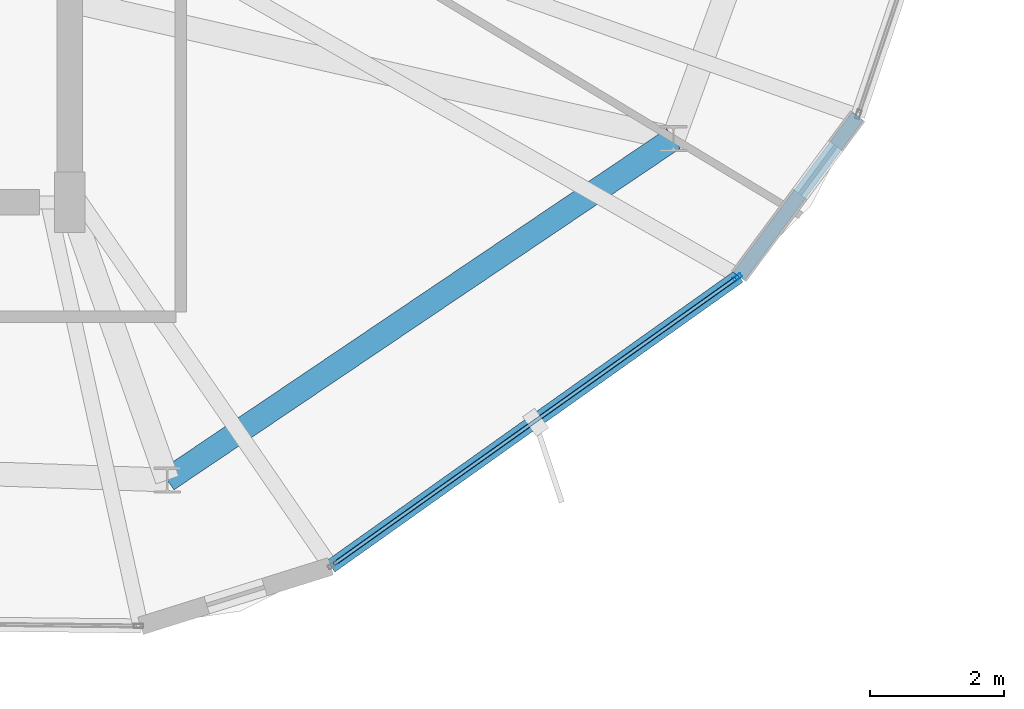
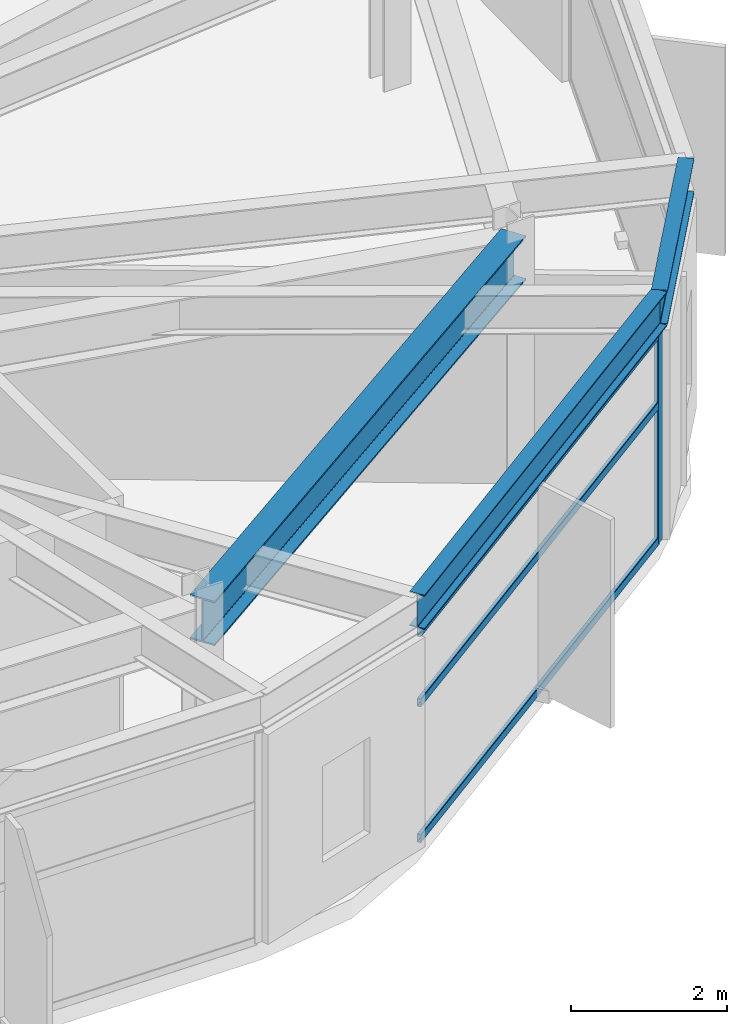
# One storey, part 5 of 19: 4 members, 3 beams, 1 element without a shape of its own.
"""IFC4 building model written with IfcOpenShell, lengths in metres."""

from ifc_helpers import new_model, si_unit, direction, frame, origin, origin_2d, place, context, subcontext, project, spatial, hollow_rectangle, i_section, extrude, material, layer, layer_set, material_profile, profile_set, type_object, element, aggregate, save


model = new_model("IFC4")

# Units and contexts
model_context = context("Model", 3, precision=1e-05, world=origin(), true_north=direction((0.0, 1.0)))
body_context = subcontext(model_context, "Body", "Model", "MODEL_VIEW")
ifc_project = project(units=[si_unit("LENGTHUNIT", "METRE"), si_unit("AREAUNIT", "SQUARE_METRE"), si_unit("VOLUMEUNIT", "CUBIC_METRE"), si_unit("PLANEANGLEUNIT", "RADIAN"), si_unit("MASSUNIT", "GRAM", prefix="KILO")], contexts=[model_context])

# Site, building, storey
site_placement = place(None, origin())
site = spatial("IfcSite", under=ifc_project, at=site_placement, CompositionType="ELEMENT")
building_placement = place(site_placement, origin())
building = spatial("IfcBuilding", under=site, at=building_placement, Name="Soratama Intermodal Tower", CompositionType="ELEMENT")
storey_placement = place(building_placement, frame((0.0, 0.0, 297.25)))
storey = spatial("IfcBuildingStorey", under=building, at=storey_placement, Name="L75", CompositionType="ELEMENT", Elevation=297.25)

# Beams
ifc_material_1 = material(Name="Structural steel ASTM A992 Grade 50", Category="steel")
ifc_material_profile_1 = material_profile(ifc_material_1, i_section(OverallWidth=0.35498046875, OverallDepth=0.695068359375, WebThickness=0.015380859375, FlangeThickness=0.02490234375, FilletRadius=0.01611328125, at=origin_2d()), Name="W27X146")
ifc_profile_set_1 = profile_set([ifc_material_profile_1], Name="Structural steel ASTM A992 Grade 50")
beam_type_1 = type_object("IfcBeamType", Name="BM-RING-W27X146", PredefinedType="BEAM", material=ifc_profile_set_1)
beam_1_placement = place(storey_placement, frame((46.052001953125, 10.8701171875, 3.547607421875), z_axis=(0.829065755123, 0.559151118824, 0.0), x_axis=(-0.559151118824, 0.829065755123, 0.0)))
element("IfcBeam", 1, at=beam_1_placement, inside=storey, type_object=beam_type_1, Name="BM-L75-RING-08", PredefinedType="BEAM", context=body_context, shape_type="SweptSolid", body=[
    extrude(i_section(OverallWidth=0.35498046875, OverallDepth=0.695068359375, WebThickness=0.015380859375, FlangeThickness=0.02490234375, FilletRadius=0.01611328125, at=origin_2d()), origin(), (0.0, 0.0, 1.0), 9.0849609375),
])
ifc_material_2 = material(Name="Structural steel ASTM A992 Grade 50", Category="steel")
ifc_material_profile_2 = material_profile(ifc_material_2, i_section(OverallWidth=0.2099609375, OverallDepth=0.537109375, WebThickness=0.010986328125, FlangeThickness=0.017333984375, FilletRadius=0.012939453125, at=origin_2d()), Name="W21X68")
ifc_profile_set_2 = profile_set([ifc_material_profile_2], Name="Structural steel ASTM A992 Grade 50")
beam_type_2 = type_object("IfcBeamType", Name="BM-SPN-W21X68", PredefinedType="SPANDREL", material=ifc_profile_set_2)
beam_2_placement = place(storey_placement, frame((48.485107421875, 9.5859375, 3.62646484375), z_axis=(0.815130721405, 0.579277055493, 0.0), x_axis=(-0.579277055493, 0.815130721405, 0.0)))
element("IfcBeam", 2, at=beam_2_placement, inside=storey, type_object=beam_type_2, Name="BS-L75-F07", PredefinedType="SPANDREL", context=body_context, shape_type="SweptSolid", body=[
    extrude(i_section(OverallWidth=0.2099609375, OverallDepth=0.537109375, WebThickness=0.010986328125, FlangeThickness=0.017333984375, FilletRadius=0.012939453125, at=origin_2d()), origin(), (0.0, 0.0, 1.0), 7.44873046875),
])
beam_3_placement = place(storey_placement, frame((54.556884765625, 13.90087890625, 3.62646484375), z_axis=(0.596214921407, 0.80282486726, 0.0), x_axis=(-0.80282486726, 0.596214921407, 0.0)))
element("IfcBeam", 3, at=beam_3_placement, inside=storey, type_object=beam_type_2, Name="BS-L75-CRN07", PredefinedType="SPANDREL", context=body_context, shape_type="SweptSolid", body=[
    extrude(i_section(OverallWidth=0.2099609375, OverallDepth=0.537109375, WebThickness=0.010986328125, FlangeThickness=0.017333984375, FilletRadius=0.012939453125, at=origin_2d()), origin(), (0.0, 0.0, 1.0), 2.967041015625),
])

# Curtain wall, members
ifc_material_3 = material(Name="Double-glazed aluminium curtain wall", Category="aluminium")
ifc_layer = layer(ifc_material_3, 0.159912109375)
ifc_layer_set = layer_set([ifc_layer], Name="Double-glazed aluminium curtain wall")
curtain_wall_type = type_object("IfcCurtainWallType", Name="CW-SYS-6", PredefinedType="NOTDEFINED", material=ifc_layer_set)
curtain_wall_placement = place(storey_placement, origin())
curtain_wall = element("IfcCurtainWall", 4, at=curtain_wall_placement, inside=storey, type_object=curtain_wall_type, Name="L75 Faceted Curtain Wall F07", PredefinedType="NOTDEFINED")
ifc_material_4 = material(Name="Anodised aluminium AA 6063-T6", Category="aluminium")
ifc_material_profile_3 = material_profile(ifc_material_4, hollow_rectangle(XDim=0.06494140625, YDim=0.139892578125, WallThickness=0.0048828125, InnerFilletRadius=0.0048828125, OuterFilletRadius=0.010009765625, at=origin_2d()), Name="CWM140X65X5")
ifc_profile_set_3 = profile_set([ifc_material_profile_3], Name="Anodised aluminium AA 6063-T6")
member_type_1 = type_object("IfcMemberType", Name="MT-CWM-6", PredefinedType="MULLION", material=ifc_profile_set_3)
member_1_placement = place(storey_placement, frame((54.532470703125, 13.8837890625, 0.0), z_axis=(0.0, 0.0, 1.0), x_axis=(-0.579286007364, 0.815124359636, 0.0)))
member_1 = element("IfcMember", 5, at=member_1_placement, type_object=member_type_1, Name="CW-6 mullion 2", PredefinedType="MULLION", context=body_context, shape_type="SweptSolid", body=[
    extrude(hollow_rectangle(XDim=0.06494140625, YDim=0.139892578125, WallThickness=0.0048828125, InnerFilletRadius=0.0048828125, OuterFilletRadius=0.010009765625, at=origin_2d()), origin(), (0.0, 0.0, 1.0), 3.27392578125),
])
ifc_material_5 = material(Name="Anodised aluminium AA 6063-T6", Category="aluminium")
ifc_material_profile_4 = material_profile(ifc_material_5, hollow_rectangle(XDim=0.06005859375, YDim=0.1298828125, WallThickness=0.0048828125, InnerFilletRadius=0.0048828125, OuterFilletRadius=0.010009765625, at=origin_2d()), Name="CWT130X60X5")
ifc_profile_set_4 = profile_set([ifc_material_profile_4], Name="Anodised aluminium AA 6063-T6")
member_type_2 = type_object("IfcMemberType", Name="TT-CWT-2", PredefinedType="USERDEFINED", material=ifc_profile_set_4)
member_2_placement = place(storey_placement, frame((48.53369140625, 9.62060546875, 0.030029296875), z_axis=(0.815122046979, 0.579289261534, 0.0), x_axis=(-0.579289261534, 0.815122046979, 0.0)))
member_2 = element("IfcMember", 6, at=member_2_placement, type_object=member_type_2, Name="CW-6 transom 1.1", ObjectType="TRANSOM", PredefinedType="USERDEFINED", context=body_context, shape_type="SweptSolid", body=[
    extrude(hollow_rectangle(XDim=0.06005859375, YDim=0.1298828125, WallThickness=0.0048828125, InnerFilletRadius=0.0048828125, OuterFilletRadius=0.010009765625, at=origin_2d()), origin(), (0.0, 0.0, 1.0), 7.329345703125),
])
member_3_placement = place(storey_placement, frame((48.53369140625, 9.62060546875, 2.14990234375), z_axis=(0.815122046979, 0.579289261534, 0.0), x_axis=(-0.579289261534, 0.815122046979, 0.0)))
member_3 = element("IfcMember", 7, at=member_3_placement, type_object=member_type_2, Name="CW-6 transom 1.2", ObjectType="TRANSOM", PredefinedType="USERDEFINED", context=body_context, shape_type="SweptSolid", body=[
    extrude(hollow_rectangle(XDim=0.06005859375, YDim=0.1298828125, WallThickness=0.0048828125, InnerFilletRadius=0.0048828125, OuterFilletRadius=0.010009765625, at=origin_2d()), origin(), (0.0, 0.0, 1.0), 7.329345703125),
])
member_4_placement = place(storey_placement, frame((48.53369140625, 9.62060546875, 3.243896484375), z_axis=(0.815122046979, 0.579289261534, 0.0), x_axis=(-0.579289261534, 0.815122046979, 0.0)))
member_4 = element("IfcMember", 8, at=member_4_placement, type_object=member_type_2, Name="CW-6 transom 1.3", ObjectType="TRANSOM", PredefinedType="USERDEFINED", context=body_context, shape_type="SweptSolid", body=[
    extrude(hollow_rectangle(XDim=0.06005859375, YDim=0.1298828125, WallThickness=0.0048828125, InnerFilletRadius=0.0048828125, OuterFilletRadius=0.010009765625, at=origin_2d()), origin(), (0.0, 0.0, 1.0), 7.329345703125),
])
aggregate(curtain_wall, [member_1, member_2, member_3, member_4])

save(model, "model.ifc")
